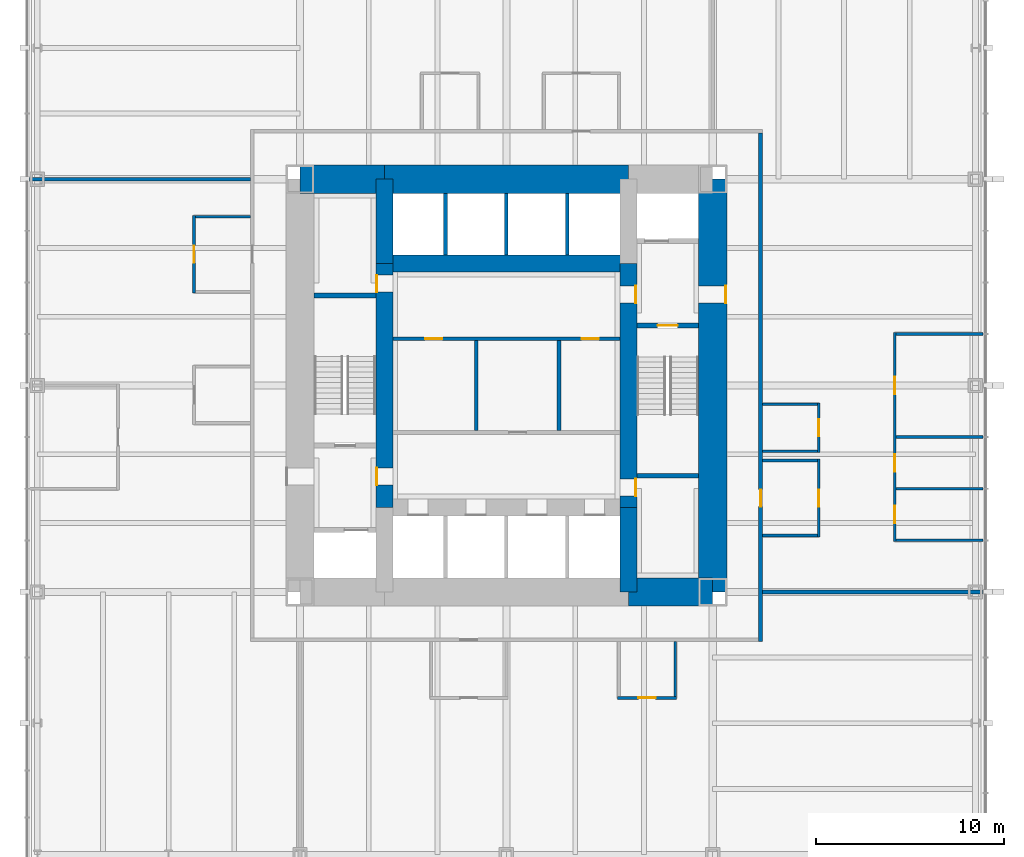
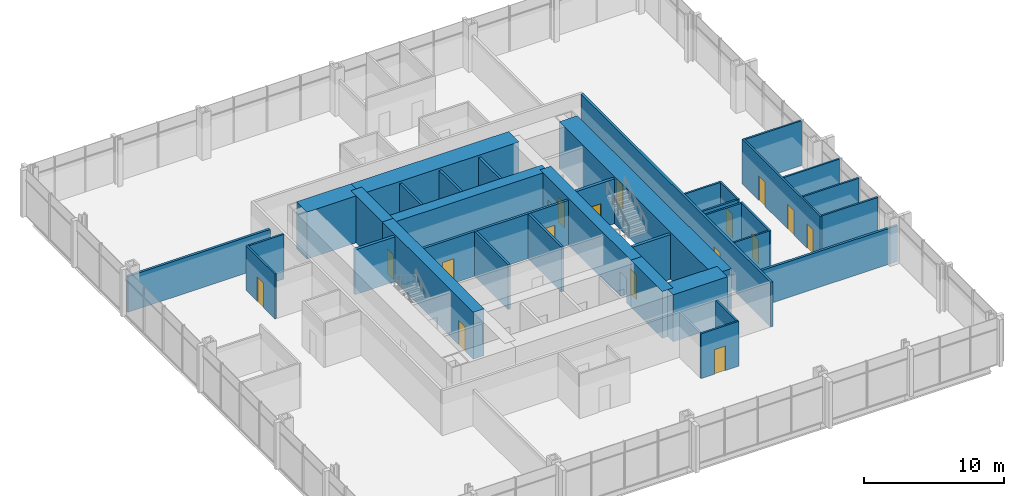
# One storey, part 10 of 12: 36 walls, 16 doors, 16 openings.
"""IFC4 building model written with IfcOpenShell, lengths in metres."""

from ifc_helpers import new_model, si_unit, direction, frame, frame_2d, origin, place, context, subcontext, project, spatial, rectangle, extrude, material, layer, layer_set, type_object, element, fill, save


model = new_model("IFC4")

# Units and contexts
model_context = context("Model", 3, precision=1e-05, world=origin(), true_north=direction((0.0, 1.0)))
body_context = subcontext(model_context, "Body", "Model", "MODEL_VIEW")
ifc_project = project(units=[si_unit("LENGTHUNIT", "METRE"), si_unit("AREAUNIT", "SQUARE_METRE"), si_unit("VOLUMEUNIT", "CUBIC_METRE"), si_unit("PLANEANGLEUNIT", "RADIAN"), si_unit("MASSUNIT", "GRAM", prefix="KILO")], contexts=[model_context])

# Site, building, storey
site_placement = place(None, origin())
site = spatial("IfcSite", under=ifc_project, at=site_placement, CompositionType="ELEMENT")
building_placement = place(site_placement, origin())
building = spatial("IfcBuilding", under=site, at=building_placement, Name="Trevanion Tower", CompositionType="ELEMENT")
storey_placement = place(building_placement, frame((0.0, 0.0, 24.199951171875)))
storey = spatial("IfcBuildingStorey", under=building, at=storey_placement, Name="L05", CompositionType="ELEMENT", Elevation=24.199951171875)

# Wall, opening, door
ifc_material_1 = material(Name="Concrete 10,000 psi", Category="concrete")
ifc_layer_1 = layer(ifc_material_1, 1.5)
ifc_layer_set_1 = layer_set([ifc_layer_1], Name="CW1 core wall 1500")
wall_type_1 = type_object("IfcWallType", Name="CW1 core wall 1500", PredefinedType="SHEAR", material=ifc_layer_set_1)
wall_1_placement = place(storey_placement, frame((11.0, -11.0, 0.0), z_axis=(0.0, 0.0, 1.0), x_axis=(0.0, 1.0, 0.0)))
wall_1 = element("IfcWall", 1, at=wall_1_placement, inside=storey, type_object=wall_type_1, Name="CW1 CE L05", PredefinedType="SHEAR", context=body_context, shape_type="SweptSolid", body=[
    extrude(rectangle(XDim=22.0, YDim=1.5, at=frame_2d((11.0, 0.0))), origin(), (0.0, 0.0, 1.0), 4.10009765625),
])
opening_1_placement = place(wall_1_placement, frame((15.392578125, 0.0, 0.0)))
opening_1 = element("IfcOpeningElement", 2, at=opening_1_placement, cuts=wall_1, Name="Opening 05-001", PredefinedType="OPENING", context=body_context, shape_type="SweptSolid", body=[
    extrude(rectangle(XDim=0.9150390625, YDim=2.134033203125, at=frame_2d((0.45751953125, 1.06689453125))), frame((0.0, 0.760009765625, 0.0), z_axis=(0.0, -1.0, 0.0), x_axis=(1.0, 0.0, 0.0)), (0.0, 0.0, 1.0), 1.52001953125),
])
ifc_material_2 = material(Name="Hollow metal, fire rated", Category="steel")
door_type_1 = type_object("IfcDoorType", Name="D3 fire lift lobby door", OperationType="SINGLE_SWING_RIGHT", PredefinedType="DOOR", material=ifc_material_2)
door_1_placement = place(opening_1_placement, origin())
door_1 = element("IfcDoor", 3, at=door_1_placement, inside=storey, type_object=door_type_1, Name="Door 05-001", OperationType="SINGLE_SWING_RIGHT", OverallHeight=2.134033203125, OverallWidth=0.9150390625, PredefinedType="DOOR", context=body_context, shape_type="SweptSolid", body=[
    extrude(rectangle(XDim=0.9150390625, YDim=2.134033203125, at=frame_2d((0.45751953125, 1.06689453125))), frame((0.0, -0.6748046875, 0.0), z_axis=(0.0, -1.0, 0.0), x_axis=(1.0, 0.0, 0.0)), (0.0, 0.0, 1.0), 0.050048828125),
])
fill(opening_1, door_1)

# Walls
wall_2_placement = place(storey_placement, frame((6.5, 11.0, 0.0), z_axis=(0.0, 0.0, 1.0), x_axis=(-1.0, 0.0, 0.0)))
element("IfcWall", 4, at=wall_2_placement, inside=storey, type_object=wall_type_1, Name="CW1 CN2 L05", PredefinedType="SHEAR", context=body_context, shape_type="SweptSolid", body=[
    extrude(rectangle(XDim=13.0, YDim=1.5, at=frame_2d((6.5, 0.0))), origin(), (0.0, 0.0, 1.0), 4.10009765625),
])
for number, where, z_axis, x_axis, name in (
    (5, (-6.5, 11.0, 0.0), (0.0, 0.0, 1.0), (-1.0, 0.0, 0.0), "CW1 CN3 L05"),
    (6, (6.5, -11.0, 0.0), (0.0, 0.0, 1.0), (1.0, 0.0, 0.0), "CW1 CS3 L05"),
):
    element("IfcWall", number, at=place(storey_placement, frame(where, z_axis=z_axis, x_axis=x_axis)), inside=storey, type_object=wall_type_1, Name=name, PredefinedType="SHEAR", context=body_context, shape_type="SweptSolid", body=[
        extrude(rectangle(XDim=4.5, YDim=1.5, at=frame_2d((2.25, 0.0))), origin(), (0.0, 0.0, 1.0), 4.10009765625),
    ])
ifc_material_3 = material(Name="Concrete 10,000 psi", Category="concrete")
ifc_layer_2 = layer(ifc_material_3, 0.89990234375)
ifc_layer_set_2 = layer_set([ifc_layer_2], Name="CW2 core wall 900")
wall_type_2 = type_object("IfcWallType", Name="CW2 core wall 900", PredefinedType="SHEAR", material=ifc_layer_set_2)
wall_3_placement = place(storey_placement, frame((6.5, -11.0, 0.0), z_axis=(0.0, 0.0, 1.0), x_axis=(0.0, 1.0, 0.0)))
element("IfcWall", 7, at=wall_3_placement, inside=storey, type_object=wall_type_2, Name="CW2 RE1 L05", PredefinedType="SHEAR", context=body_context, shape_type="SweptSolid", body=[
    extrude(rectangle(XDim=4.5, YDim=0.89990234375, at=frame_2d((2.25, 0.0))), origin(), (0.0, 0.0, 1.0), 4.10009765625),
])

# Wall, openings, doors
wall_4_placement = place(storey_placement, frame((6.5, -6.5, 0.0), z_axis=(0.0, 0.0, 1.0), x_axis=(0.0, 1.0, 0.0)))
wall_4 = element("IfcWall", 8, at=wall_4_placement, inside=storey, type_object=wall_type_2, Name="CW2 RE2 L05", PredefinedType="SHEAR", context=body_context, shape_type="SweptSolid", body=[
    extrude(rectangle(XDim=13.0, YDim=0.89990234375, at=frame_2d((6.5, 0.0))), origin(), (0.0, 0.0, 1.0), 4.10009765625),
])
opening_2_placement = place(wall_4_placement, frame((10.892578125, 0.0, 0.0)))
opening_2 = element("IfcOpeningElement", 9, at=opening_2_placement, cuts=wall_4, Name="Opening 05-003", PredefinedType="OPENING", context=body_context, shape_type="SweptSolid", body=[
    extrude(rectangle(XDim=0.9150390625, YDim=2.134033203125, at=frame_2d((0.45751953125, 1.06689453125))), frame((0.0, 0.4599609375, 0.0), z_axis=(0.0, -1.0, 0.0), x_axis=(1.0, 0.0, 0.0)), (0.0, 0.0, 1.0), 0.919921875),
])
opening_3_placement = place(wall_4_placement, frame((0.610107421875, 0.0, 0.0)))
opening_3 = element("IfcOpeningElement", 10, at=opening_3_placement, cuts=wall_4, Name="Opening 05-009", PredefinedType="OPENING", context=body_context, shape_type="SweptSolid", body=[
    extrude(rectangle(XDim=0.9150390625, YDim=2.134033203125, at=frame_2d((0.45751953125, 1.06689453125))), frame((0.0, 0.4599609375, 0.0), z_axis=(0.0, -1.0, 0.0), x_axis=(1.0, 0.0, 0.0)), (0.0, 0.0, 1.0), 0.919921875),
])
door_2_placement = place(opening_2_placement, origin())
door_2 = element("IfcDoor", 11, at=door_2_placement, inside=storey, type_object=door_type_1, Name="Door 05-003", OperationType="SINGLE_SWING_RIGHT", OverallHeight=2.134033203125, OverallWidth=0.9150390625, PredefinedType="DOOR", context=body_context, shape_type="SweptSolid", body=[
    extrude(rectangle(XDim=0.9150390625, YDim=2.134033203125, at=frame_2d((0.45751953125, 1.06689453125))), frame((0.0, -0.375, 0.0), z_axis=(0.0, -1.0, 0.0), x_axis=(1.0, 0.0, 0.0)), (0.0, 0.0, 1.0), 0.050048828125),
])
fill(opening_2, door_2)
ifc_material_4 = material(Name="Hollow metal, fire rated", Category="steel")
door_type_2 = type_object("IfcDoorType", Name="D5 service room door", OperationType="SINGLE_SWING_RIGHT", PredefinedType="DOOR", material=ifc_material_4)
door_3_placement = place(opening_3_placement, origin())
door_3 = element("IfcDoor", 12, at=door_3_placement, inside=storey, type_object=door_type_2, Name="Door 05-009", OperationType="SINGLE_SWING_RIGHT", OverallHeight=2.134033203125, OverallWidth=0.9150390625, PredefinedType="DOOR", context=body_context, shape_type="SweptSolid", body=[
    extrude(rectangle(XDim=0.9150390625, YDim=2.134033203125, at=frame_2d((0.45751953125, 1.06689453125))), frame((0.0, -0.375, 0.0), z_axis=(0.0, -1.0, 0.0), x_axis=(1.0, 0.0, 0.0)), (0.0, 0.0, 1.0), 0.050048828125),
])
fill(opening_3, door_3)

# Wall
wall_5_placement = place(storey_placement, frame((-6.5, 11.0, 0.0), z_axis=(0.0, 0.0, 1.0), x_axis=(0.0, -1.0, 0.0)))
element("IfcWall", 13, at=wall_5_placement, inside=storey, type_object=wall_type_2, Name="CW2 RW1 L05", PredefinedType="SHEAR", context=body_context, shape_type="SweptSolid", body=[
    extrude(rectangle(XDim=4.5, YDim=0.89990234375, at=frame_2d((2.25, 0.0))), origin(), (0.0, 0.0, 1.0), 4.10009765625),
])

# Wall, openings, doors
wall_6_placement = place(storey_placement, frame((-6.5, 6.5, 0.0), z_axis=(0.0, 0.0, 1.0), x_axis=(0.0, -1.0, 0.0)))
wall_6 = element("IfcWall", 14, at=wall_6_placement, inside=storey, type_object=wall_type_2, Name="CW2 RW2 L05", PredefinedType="SHEAR", context=body_context, shape_type="SweptSolid", body=[
    extrude(rectangle(XDim=13.0, YDim=0.89990234375, at=frame_2d((6.5, 0.0))), origin(), (0.0, 0.0, 1.0), 4.10009765625),
])
opening_4_placement = place(wall_6_placement, frame((10.892578125, 0.0, 0.0)))
opening_4 = element("IfcOpeningElement", 15, at=opening_4_placement, cuts=wall_6, Name="Opening 05-004", PredefinedType="OPENING", context=body_context, shape_type="SweptSolid", body=[
    extrude(rectangle(XDim=0.9150390625, YDim=2.134033203125, at=frame_2d((0.45751953125, 1.06689453125))), frame((0.0, 0.4599609375, 0.0), z_axis=(0.0, -1.0, 0.0), x_axis=(1.0, 0.0, 0.0)), (0.0, 0.0, 1.0), 0.919921875),
])
opening_5_placement = place(wall_6_placement, frame((0.610107421875, 0.0, 0.0)))
opening_5 = element("IfcOpeningElement", 16, at=opening_5_placement, cuts=wall_6, Name="Opening 05-010", PredefinedType="OPENING", context=body_context, shape_type="SweptSolid", body=[
    extrude(rectangle(XDim=0.9150390625, YDim=2.134033203125, at=frame_2d((0.45751953125, 1.06689453125))), frame((0.0, 0.4599609375, 0.0), z_axis=(0.0, -1.0, 0.0), x_axis=(1.0, 0.0, 0.0)), (0.0, 0.0, 1.0), 0.919921875),
])
door_4_placement = place(opening_4_placement, origin())
door_4 = element("IfcDoor", 17, at=door_4_placement, inside=storey, type_object=door_type_1, Name="Door 05-004", OperationType="SINGLE_SWING_RIGHT", OverallHeight=2.134033203125, OverallWidth=0.9150390625, PredefinedType="DOOR", context=body_context, shape_type="SweptSolid", body=[
    extrude(rectangle(XDim=0.9150390625, YDim=2.134033203125, at=frame_2d((0.45751953125, 1.06689453125))), frame((0.0, -0.375, 0.0), z_axis=(0.0, -1.0, 0.0), x_axis=(1.0, 0.0, 0.0)), (0.0, 0.0, 1.0), 0.050048828125),
])
fill(opening_4, door_4)
door_5_placement = place(opening_5_placement, origin())
door_5 = element("IfcDoor", 18, at=door_5_placement, inside=storey, type_object=door_type_2, Name="Door 05-010", OperationType="SINGLE_SWING_RIGHT", OverallHeight=2.134033203125, OverallWidth=0.9150390625, PredefinedType="DOOR", context=body_context, shape_type="SweptSolid", body=[
    extrude(rectangle(XDim=0.9150390625, YDim=2.134033203125, at=frame_2d((0.45751953125, 1.06689453125))), frame((0.0, -0.375, 0.0), z_axis=(0.0, -1.0, 0.0), x_axis=(1.0, 0.0, 0.0)), (0.0, 0.0, 1.0), 0.050048828125),
])
fill(opening_5, door_5)

# Wall
wall_7_placement = place(storey_placement, frame((6.5, 6.5, 0.0), z_axis=(0.0, 0.0, 1.0), x_axis=(-1.0, 0.0, 0.0)))
element("IfcWall", 19, at=wall_7_placement, inside=storey, type_object=wall_type_2, Name="CW2 RN L05", PredefinedType="SHEAR", context=body_context, shape_type="SweptSolid", body=[
    extrude(rectangle(XDim=13.0, YDim=0.89990234375, at=frame_2d((6.5, 0.0))), origin(), (0.0, 0.0, 1.0), 4.10009765625),
])

# Wall, openings, doors
ifc_material_5 = material(Name="Gypsum board on steel studs", Category="steel")
ifc_layer_3 = layer(ifc_material_5, 0.14990234375)
ifc_layer_set_3 = layer_set([ifc_layer_3], Name="PT1 partition 150")
wall_type_3 = type_object("IfcWallType", Name="PT1 partition 150", PredefinedType="PARTITIONING", material=ifc_layer_set_3)
wall_8_placement = place(storey_placement, frame((20.699951171875, -8.324951171875, 0.0), z_axis=(0.0, 0.0, 1.0), x_axis=(0.0, 1.0, 0.0)))
wall_8 = element("IfcWall", 20, at=wall_8_placement, inside=storey, type_object=wall_type_3, Name="PT1 L05 FC0F", PredefinedType="PARTITIONING", context=body_context, shape_type="SweptSolid", body=[
    extrude(rectangle(XDim=11.14990234375, YDim=0.14990234375, at=frame_2d((5.574951171875, 0.0))), origin(), (0.0, 0.0, 1.0), 3.91015625),
])
opening_6_placement = place(wall_8_placement, frame((0.992431640625, 0.0, 0.0)))
opening_6 = element("IfcOpeningElement", 21, at=opening_6_placement, cuts=wall_8, Name="Opening 05-018", PredefinedType="OPENING", context=body_context, shape_type="SweptSolid", body=[
    extrude(rectangle(XDim=0.9150390625, YDim=2.134033203125, at=frame_2d((0.45751953125, 1.06689453125))), frame((0.0, 0.0849609375, 0.0), z_axis=(0.0, -1.0, 0.0), x_axis=(1.0, 0.0, 0.0)), (0.0, 0.0, 1.0), 0.169921875),
])
opening_7_placement = place(wall_8_placement, frame((3.742431640625, 0.0, 0.0)))
opening_7 = element("IfcOpeningElement", 22, at=opening_7_placement, cuts=wall_8, Name="Opening 05-019", PredefinedType="OPENING", context=body_context, shape_type="SweptSolid", body=[
    extrude(rectangle(XDim=0.9150390625, YDim=2.134033203125, at=frame_2d((0.45751953125, 1.06689453125))), frame((0.0, 0.0849609375, 0.0), z_axis=(0.0, -1.0, 0.0), x_axis=(1.0, 0.0, 0.0)), (0.0, 0.0, 1.0), 0.169921875),
])
opening_8_placement = place(wall_8_placement, frame((7.867431640625, 0.0, 0.0)))
opening_8 = element("IfcOpeningElement", 23, at=opening_8_placement, cuts=wall_8, Name="Opening 05-020", PredefinedType="OPENING", context=body_context, shape_type="SweptSolid", body=[
    extrude(rectangle(XDim=0.9150390625, YDim=2.134033203125, at=frame_2d((0.45751953125, 1.06689453125))), frame((0.0, 0.0849609375, 0.0), z_axis=(0.0, -1.0, 0.0), x_axis=(1.0, 0.0, 0.0)), (0.0, 0.0, 1.0), 0.169921875),
])
ifc_material_6 = material(Name="Timber veneer, solid core", Category="wood")
door_type_3 = type_object("IfcDoorType", Name="D1 office and meeting room door", OperationType="SINGLE_SWING_LEFT", PredefinedType="DOOR", material=ifc_material_6)
door_6_placement = place(opening_6_placement, origin())
door_6 = element("IfcDoor", 24, at=door_6_placement, inside=storey, type_object=door_type_3, Name="Door 05-018", OperationType="SINGLE_SWING_LEFT", OverallHeight=2.134033203125, OverallWidth=0.9150390625, PredefinedType="DOOR", context=body_context, shape_type="SweptSolid", body=[
    extrude(rectangle(XDim=0.9150390625, YDim=2.134033203125, at=frame_2d((0.45751953125, 1.06689453125))), frame((0.0, 0.02490234375, 0.0), z_axis=(0.0, -1.0, 0.0), x_axis=(1.0, 0.0, 0.0)), (0.0, 0.0, 1.0), 0.050048828125),
])
fill(opening_6, door_6)
door_7_placement = place(opening_7_placement, origin())
door_7 = element("IfcDoor", 25, at=door_7_placement, inside=storey, type_object=door_type_3, Name="Door 05-019", OperationType="SINGLE_SWING_LEFT", OverallHeight=2.134033203125, OverallWidth=0.9150390625, PredefinedType="DOOR", context=body_context, shape_type="SweptSolid", body=[
    extrude(rectangle(XDim=0.9150390625, YDim=2.134033203125, at=frame_2d((0.45751953125, 1.06689453125))), frame((0.0, 0.02490234375, 0.0), z_axis=(0.0, -1.0, 0.0), x_axis=(1.0, 0.0, 0.0)), (0.0, 0.0, 1.0), 0.050048828125),
])
fill(opening_7, door_7)
door_8_placement = place(opening_8_placement, origin())
door_8 = element("IfcDoor", 26, at=door_8_placement, inside=storey, type_object=door_type_3, Name="Door 05-020", OperationType="SINGLE_SWING_LEFT", OverallHeight=2.134033203125, OverallWidth=0.9150390625, PredefinedType="DOOR", context=body_context, shape_type="SweptSolid", body=[
    extrude(rectangle(XDim=0.9150390625, YDim=2.134033203125, at=frame_2d((0.45751953125, 1.06689453125))), frame((0.0, 0.02490234375, 0.0), z_axis=(0.0, -1.0, 0.0), x_axis=(1.0, 0.0, 0.0)), (0.0, 0.0, 1.0), 0.050048828125),
])
fill(opening_8, door_8)

# Walls
for number, where, z_axis, x_axis, name in (
    (27, (20.77490234375, -8.25, 0.0), (0.0, 0.0, 1.0), (1.0, 0.0, 0.0), "PT1 L05 FC0S0"),
    (28, (20.77490234375, -5.5, 0.0), (0.0, 0.0, 1.0), (1.0, 0.0, 0.0), "PT1 L05 FC0S1"),
    (29, (20.77490234375, -2.75, 0.0), (0.0, 0.0, 1.0), (1.0, 0.0, 0.0), "PT1 L05 FC0S2"),
    (30, (20.77490234375, 2.75, 0.0), (0.0, 0.0, 1.0), (1.0, 0.0, 0.0), "PT1 L05 FC0S4"),
):
    element("IfcWall", number, at=place(storey_placement, frame(where, z_axis=z_axis, x_axis=x_axis)), inside=storey, type_object=wall_type_3, Name=name, PredefinedType="PARTITIONING", context=body_context, shape_type="SweptSolid", body=[
        extrude(rectangle(XDim=4.64013671875, YDim=0.14990234375, at=frame_2d((2.320068359375, 0.0))), origin(), (0.0, 0.0, 1.0), 3.91015625),
    ])

# Wall, opening, door
wall_9_placement = place(storey_placement, frame((16.64990234375, -8.074951171875, 0.0), z_axis=(0.0, 0.0, 1.0), x_axis=(0.0, 1.0, 0.0)))
wall_9 = element("IfcWall", 31, at=wall_9_placement, inside=storey, type_object=wall_type_3, Name="PT1 L05 IN00F", PredefinedType="PARTITIONING", context=body_context, shape_type="SweptSolid", body=[
    extrude(rectangle(XDim=4.14990234375, YDim=0.14990234375, at=frame_2d((2.074951171875, 0.0))), origin(), (0.0, 0.0, 1.0), 3.91015625),
])
opening_9_placement = place(wall_9_placement, frame((1.617431640625, 0.0, 0.0)))
opening_9 = element("IfcOpeningElement", 32, at=opening_9_placement, cuts=wall_9, Name="Opening 05-024", PredefinedType="OPENING", context=body_context, shape_type="SweptSolid", body=[
    extrude(rectangle(XDim=0.9150390625, YDim=2.134033203125, at=frame_2d((0.45751953125, 1.06689453125))), frame((0.0, 0.0849609375, 0.0), z_axis=(0.0, -1.0, 0.0), x_axis=(1.0, 0.0, 0.0)), (0.0, 0.0, 1.0), 0.169921875),
])
door_9_placement = place(opening_9_placement, origin())
door_9 = element("IfcDoor", 33, at=door_9_placement, inside=storey, type_object=door_type_3, Name="Door 05-024", OperationType="SINGLE_SWING_LEFT", OverallHeight=2.134033203125, OverallWidth=0.9150390625, PredefinedType="DOOR", context=body_context, shape_type="SweptSolid", body=[
    extrude(rectangle(XDim=0.9150390625, YDim=2.134033203125, at=frame_2d((0.45751953125, 1.06689453125))), frame((0.0, 0.02490234375, 0.0), z_axis=(0.0, -1.0, 0.0), x_axis=(1.0, 0.0, 0.0)), (0.0, 0.0, 1.0), 0.050048828125),
])
fill(opening_9, door_9)

# Walls
for number, where, z_axis, x_axis, name in (
    (34, (16.574951171875, -8.0, 0.0), (0.0, 0.0, 1.0), (-1.0, 0.0, 0.0), "PT1 L05 IN00S0"),
    (35, (16.574951171875, -4.0, 0.0), (0.0, 0.0, 1.0), (-1.0, 0.0, 0.0), "PT1 L05 IN00S1"),
):
    element("IfcWall", number, at=place(storey_placement, frame(where, z_axis=z_axis, x_axis=x_axis)), inside=storey, type_object=wall_type_3, Name=name, PredefinedType="PARTITIONING", context=body_context, shape_type="SweptSolid", body=[
        extrude(rectangle(XDim=2.925048828125, YDim=0.14990234375, at=frame_2d((1.46240234375, 0.0))), origin(), (0.0, 0.0, 1.0), 3.91015625),
    ])

# Wall, opening, door
wall_10_placement = place(storey_placement, frame((16.64990234375, -3.574951171875, 0.0), z_axis=(0.0, 0.0, 1.0), x_axis=(0.0, 1.0, 0.0)))
wall_10 = element("IfcWall", 36, at=wall_10_placement, inside=storey, type_object=wall_type_3, Name="PT1 L05 IN01F", PredefinedType="PARTITIONING", context=body_context, shape_type="SweptSolid", body=[
    extrude(rectangle(XDim=2.64990234375, YDim=0.14990234375, at=frame_2d((1.324951171875, 0.0))), origin(), (0.0, 0.0, 1.0), 3.91015625),
])
opening_10_placement = place(wall_10_placement, frame((0.867431640625, 0.0, 0.0)))
opening_10 = element("IfcOpeningElement", 37, at=opening_10_placement, cuts=wall_10, Name="Opening 05-026", PredefinedType="OPENING", context=body_context, shape_type="SweptSolid", body=[
    extrude(rectangle(XDim=0.9150390625, YDim=2.134033203125, at=frame_2d((0.45751953125, 1.06689453125))), frame((0.0, 0.0849609375, 0.0), z_axis=(0.0, -1.0, 0.0), x_axis=(1.0, 0.0, 0.0)), (0.0, 0.0, 1.0), 0.169921875),
])
door_10_placement = place(opening_10_placement, origin())
door_10 = element("IfcDoor", 38, at=door_10_placement, inside=storey, type_object=door_type_3, Name="Door 05-026", OperationType="SINGLE_SWING_LEFT", OverallHeight=2.134033203125, OverallWidth=0.9150390625, PredefinedType="DOOR", context=body_context, shape_type="SweptSolid", body=[
    extrude(rectangle(XDim=0.9150390625, YDim=2.134033203125, at=frame_2d((0.45751953125, 1.06689453125))), frame((0.0, 0.02490234375, 0.0), z_axis=(0.0, -1.0, 0.0), x_axis=(1.0, 0.0, 0.0)), (0.0, 0.0, 1.0), 0.050048828125),
])
fill(opening_10, door_10)

# Walls
for number, where, z_axis, x_axis, name in (
    (39, (16.574951171875, -3.5, 0.0), (0.0, 0.0, 1.0), (-1.0, 0.0, 0.0), "PT1 L05 IN01S0"),
    (40, (16.574951171875, -1.0, 0.0), (0.0, 0.0, 1.0), (-1.0, 0.0, 0.0), "PT1 L05 IN01S1"),
):
    element("IfcWall", number, at=place(storey_placement, frame(where, z_axis=z_axis, x_axis=x_axis)), inside=storey, type_object=wall_type_3, Name=name, PredefinedType="PARTITIONING", context=body_context, shape_type="SweptSolid", body=[
        extrude(rectangle(XDim=2.925048828125, YDim=0.14990234375, at=frame_2d((1.46240234375, 0.0))), origin(), (0.0, 0.0, 1.0), 3.91015625),
    ])

# Wall, opening, door
wall_11_placement = place(storey_placement, frame((-16.64990234375, 9.074951171875, 0.0), z_axis=(0.0, 0.0, 1.0), x_axis=(0.0, -1.0, 0.0)))
wall_11 = element("IfcWall", 41, at=wall_11_placement, inside=storey, type_object=wall_type_3, Name="PT1 L05 IN20F", PredefinedType="PARTITIONING", context=body_context, shape_type="SweptSolid", body=[
    extrude(rectangle(XDim=4.14990234375, YDim=0.14990234375, at=frame_2d((2.074951171875, 0.0))), origin(), (0.0, 0.0, 1.0), 3.91015625),
])
opening_11_placement = place(wall_11_placement, frame((1.617431640625, 0.0, 0.0)))
opening_11 = element("IfcOpeningElement", 42, at=opening_11_placement, cuts=wall_11, Name="Opening 05-030", PredefinedType="OPENING", context=body_context, shape_type="SweptSolid", body=[
    extrude(rectangle(XDim=0.9150390625, YDim=2.134033203125, at=frame_2d((0.45751953125, 1.06689453125))), frame((0.0, 0.0849609375, 0.0), z_axis=(0.0, -1.0, 0.0), x_axis=(1.0, 0.0, 0.0)), (0.0, 0.0, 1.0), 0.169921875),
])
door_11_placement = place(opening_11_placement, origin())
door_11 = element("IfcDoor", 43, at=door_11_placement, inside=storey, type_object=door_type_3, Name="Door 05-030", OperationType="SINGLE_SWING_LEFT", OverallHeight=2.134033203125, OverallWidth=0.9150390625, PredefinedType="DOOR", context=body_context, shape_type="SweptSolid", body=[
    extrude(rectangle(XDim=0.9150390625, YDim=2.134033203125, at=frame_2d((0.45751953125, 1.06689453125))), frame((0.0, 0.02490234375, 0.0), z_axis=(0.0, -1.0, 0.0), x_axis=(1.0, 0.0, 0.0)), (0.0, 0.0, 1.0), 0.050048828125),
])
fill(opening_11, door_11)

# Wall
wall_12_placement = place(storey_placement, frame((-16.574951171875, 9.0, 0.0), z_axis=(0.0, 0.0, 1.0), x_axis=(1.0, 0.0, 0.0)))
element("IfcWall", 44, at=wall_12_placement, inside=storey, type_object=wall_type_3, Name="PT1 L05 IN20S0", PredefinedType="PARTITIONING", context=body_context, shape_type="SweptSolid", body=[
    extrude(rectangle(XDim=2.925048828125, YDim=0.14990234375, at=frame_2d((1.46240234375, 0.0))), origin(), (0.0, 0.0, 1.0), 3.91015625),
])

# Wall, opening, door
wall_13_placement = place(storey_placement, frame((5.925048828125, -16.64990234375, 0.0), z_axis=(0.0, 0.0, 1.0), x_axis=(1.0, 0.0, 0.0)))
wall_13 = element("IfcWall", 45, at=wall_13_placement, inside=storey, type_object=wall_type_3, Name="PT1 L05 IN31F", PredefinedType="PARTITIONING", context=body_context, shape_type="SweptSolid", body=[
    extrude(rectangle(XDim=3.14990234375, YDim=0.14990234375, at=frame_2d((1.574951171875, 0.0))), origin(), (0.0, 0.0, 1.0), 3.91015625),
])
opening_12_placement = place(wall_13_placement, frame((1.117431640625, 0.0, 0.0)))
opening_12 = element("IfcOpeningElement", 46, at=opening_12_placement, cuts=wall_13, Name="Opening 05-035", PredefinedType="OPENING", context=body_context, shape_type="SweptSolid", body=[
    extrude(rectangle(XDim=0.9150390625, YDim=2.134033203125, at=frame_2d((0.45751953125, 1.06689453125))), frame((0.0, 0.0849609375, 0.0), z_axis=(0.0, -1.0, 0.0), x_axis=(1.0, 0.0, 0.0)), (0.0, 0.0, 1.0), 0.169921875),
])
door_12_placement = place(opening_12_placement, origin())
door_12 = element("IfcDoor", 47, at=door_12_placement, inside=storey, type_object=door_type_3, Name="Door 05-035", OperationType="SINGLE_SWING_LEFT", OverallHeight=2.134033203125, OverallWidth=0.9150390625, PredefinedType="DOOR", context=body_context, shape_type="SweptSolid", body=[
    extrude(rectangle(XDim=0.9150390625, YDim=2.134033203125, at=frame_2d((0.45751953125, 1.06689453125))), frame((0.0, 0.02490234375, 0.0), z_axis=(0.0, -1.0, 0.0), x_axis=(1.0, 0.0, 0.0)), (0.0, 0.0, 1.0), 0.050048828125),
])
fill(opening_12, door_12)

# Walls
wall_14_placement = place(storey_placement, frame((9.0, -16.574951171875, 0.0), z_axis=(0.0, 0.0, 1.0), x_axis=(0.0, 1.0, 0.0)))
element("IfcWall", 48, at=wall_14_placement, inside=storey, type_object=wall_type_3, Name="PT1 L05 IN31S1", PredefinedType="PARTITIONING", context=body_context, shape_type="SweptSolid", body=[
    extrude(rectangle(XDim=2.925048828125, YDim=0.14990234375, at=frame_2d((1.46240234375, 0.0))), origin(), (0.0, 0.0, 1.0), 3.91015625),
])
ifc_material_7 = material(Name="Concrete masonry, grouted", Category="masonry")
ifc_layer_4 = layer(ifc_material_7, 0.199951171875)
ifc_layer_set_4 = layer_set([ifc_layer_4], Name="PT2 partition 200")
wall_type_4 = type_object("IfcWallType", Name="PT2 partition 200", PredefinedType="PARTITIONING", material=ifc_layer_set_4)
for number, where, z_axis, x_axis, name in (
    (49, (-1.60009765625, -2.39990234375, 0.0), (0.0, 0.0, 1.0), (0.0, 1.0, 0.0), "PT2 L05 TP1"),
    (50, (2.800048828125, -2.39990234375, 0.0), (0.0, 0.0, 1.0), (0.0, 1.0, 0.0), "PT2 L05 TP2"),
):
    element("IfcWall", number, at=place(storey_placement, frame(where, z_axis=z_axis, x_axis=x_axis)), inside=storey, type_object=wall_type_4, Name=name, PredefinedType="PARTITIONING", context=body_context, shape_type="SweptSolid", body=[
        extrude(rectangle(XDim=4.7998046875, YDim=0.199951171875, at=frame_2d((2.39990234375, 0.0))), origin(), (0.0, 0.0, 1.0), 3.91015625),
    ])

# Wall, openings, doors
ifc_material_8 = material(Name="Concrete masonry, grouted", Category="masonry")
ifc_layer_5 = layer(ifc_material_8, 0.199951171875)
ifc_layer_set_5 = layer_set([ifc_layer_5], Name="PT2 partition 200 1 HR")
wall_type_5 = type_object("IfcWallType", Name="PT2 partition 200 1 HR", PredefinedType="PARTITIONING", material=ifc_layer_set_5)
wall_15_placement = place(storey_placement, frame((-6.050048828125, 2.5, 0.0), z_axis=(0.0, 0.0, 1.0), x_axis=(1.0, 0.0, 0.0)))
wall_15 = element("IfcWall", 51, at=wall_15_placement, inside=storey, type_object=wall_type_5, Name="PT2 L05 CP1", PredefinedType="PARTITIONING", context=body_context, shape_type="SweptSolid", body=[
    extrude(rectangle(XDim=12.10009765625, YDim=0.199951171875, at=frame_2d((6.050048828125, 0.0))), origin(), (0.0, 0.0, 1.0), 3.91015625),
])
opening_13_placement = place(wall_15_placement, frame((1.717529296875, 0.0, 0.0)))
opening_13 = element("IfcOpeningElement", 52, at=opening_13_placement, cuts=wall_15, Name="Opening 05-015", PredefinedType="OPENING", context=body_context, shape_type="SweptSolid", body=[
    extrude(rectangle(XDim=0.9150390625, YDim=2.134033203125, at=frame_2d((0.45751953125, 1.06689453125))), frame((0.0, 0.10986328125, 0.0), z_axis=(0.0, -1.0, 0.0), x_axis=(1.0, 0.0, 0.0)), (0.0, 0.0, 1.0), 0.219970703125),
])
opening_14_placement = place(wall_15_placement, frame((10.0673828125, 0.0, 0.0)))
opening_14 = element("IfcOpeningElement", 53, at=opening_14_placement, cuts=wall_15, Name="Opening 05-017", PredefinedType="OPENING", context=body_context, shape_type="SweptSolid", body=[
    extrude(rectangle(XDim=0.9150390625, YDim=2.134033203125, at=frame_2d((0.45751953125, 1.06689453125))), frame((0.0, 0.10986328125, 0.0), z_axis=(0.0, -1.0, 0.0), x_axis=(1.0, 0.0, 0.0)), (0.0, 0.0, 1.0), 0.219970703125),
])
ifc_material_9 = material(Name="Plastic laminate on fire-rated core", Category="wood")
door_type_4 = type_object("IfcDoorType", Name="D12 toilet door in a one hour wall", OperationType="SINGLE_SWING_LEFT", PredefinedType="DOOR", material=ifc_material_9)
door_13_placement = place(opening_13_placement, origin())
door_13 = element("IfcDoor", 54, at=door_13_placement, inside=storey, type_object=door_type_4, Name="Door 05-015", OperationType="SINGLE_SWING_LEFT", OverallHeight=2.134033203125, OverallWidth=0.9150390625, PredefinedType="DOOR", context=body_context, shape_type="SweptSolid", body=[
    extrude(rectangle(XDim=0.9150390625, YDim=2.134033203125, at=frame_2d((0.45751953125, 1.06689453125))), frame((0.0, 0.02490234375, 0.0), z_axis=(0.0, -1.0, 0.0), x_axis=(1.0, 0.0, 0.0)), (0.0, 0.0, 1.0), 0.050048828125),
])
fill(opening_13, door_13)
door_14_placement = place(opening_14_placement, origin())
door_14 = element("IfcDoor", 55, at=door_14_placement, inside=storey, type_object=door_type_4, Name="Door 05-017", OperationType="SINGLE_SWING_LEFT", OverallHeight=2.134033203125, OverallWidth=0.9150390625, PredefinedType="DOOR", context=body_context, shape_type="SweptSolid", body=[
    extrude(rectangle(XDim=0.9150390625, YDim=2.134033203125, at=frame_2d((0.45751953125, 1.06689453125))), frame((0.0, 0.02490234375, 0.0), z_axis=(0.0, -1.0, 0.0), x_axis=(1.0, 0.0, 0.0)), (0.0, 0.0, 1.0), 0.050048828125),
])
fill(opening_14, door_14)

# Wall, opening, door
wall_16_placement = place(storey_placement, frame((13.550048828125, -13.64990234375, 0.0), z_axis=(0.0, 0.0, 1.0), x_axis=(0.0, 1.0, 0.0)))
wall_16 = element("IfcWall", 56, at=wall_16_placement, inside=storey, type_object=wall_type_5, Name="PT2 L05 OC0", PredefinedType="PARTITIONING", context=body_context, shape_type="SweptSolid", body=[
    extrude(rectangle(XDim=27.099853515625, YDim=0.199951171875, at=frame_2d((13.5498046875, 0.0))), origin(), (0.0, 0.0, 1.0), 3.91015625),
])
opening_15_placement = place(wall_16_placement, frame((7.1923828125, 0.0, 0.0)))
opening_15 = element("IfcOpeningElement", 57, at=opening_15_placement, cuts=wall_16, Name="Opening 05-025", PredefinedType="OPENING", context=body_context, shape_type="SweptSolid", body=[
    extrude(rectangle(XDim=0.9150390625, YDim=2.134033203125, at=frame_2d((0.45751953125, 1.06689453125))), frame((0.0, 0.10986328125, 0.0), z_axis=(0.0, -1.0, 0.0), x_axis=(1.0, 0.0, 0.0)), (0.0, 0.0, 1.0), 0.219970703125),
])
ifc_material_10 = material(Name="Timber veneer, fire rated", Category="wood")
door_type_5 = type_object("IfcDoorType", Name="D10 office door in a one hour wall", OperationType="SINGLE_SWING_LEFT", PredefinedType="DOOR", material=ifc_material_10)
door_15_placement = place(opening_15_placement, origin())
door_15 = element("IfcDoor", 58, at=door_15_placement, inside=storey, type_object=door_type_5, Name="Door 05-025", OperationType="SINGLE_SWING_LEFT", OverallHeight=2.134033203125, OverallWidth=0.9150390625, PredefinedType="DOOR", context=body_context, shape_type="SweptSolid", body=[
    extrude(rectangle(XDim=0.9150390625, YDim=2.134033203125, at=frame_2d((0.45751953125, 1.06689453125))), frame((0.0, 0.02490234375, 0.0), z_axis=(0.0, -1.0, 0.0), x_axis=(1.0, 0.0, 0.0)), (0.0, 0.0, 1.0), 0.050048828125),
])
fill(opening_15, door_15)

# Walls
for number, where, z_axis, x_axis, name in (
    (59, (-13.64990234375, 11.0, 0.0), (0.0, 0.0, 1.0), (-1.0, 0.0, 0.0), "PT2 L05 DM1"),
    (60, (13.64990234375, -11.0, 0.0), (0.0, 0.0, 1.0), (1.0, 0.0, 0.0), "PT2 L05 DM3"),
):
    element("IfcWall", number, at=place(storey_placement, frame(where, z_axis=z_axis, x_axis=x_axis)), inside=storey, type_object=wall_type_5, Name=name, PredefinedType="PARTITIONING", context=body_context, shape_type="SweptSolid", body=[
        extrude(rectangle(XDim=11.76513671875, YDim=0.199951171875, at=frame_2d((5.882568359375, 0.0))), origin(), (0.0, 0.0, 1.0), 3.130126953125),
    ])
ifc_material_11 = material(Name="Concrete masonry, grouted", Category="masonry")
ifc_layer_6 = layer(ifc_material_11, 0.199951171875)
ifc_layer_set_6 = layer_set([ifc_layer_6], Name="PT2 partition 200 2 HR")
wall_type_6 = type_object("IfcWallType", Name="PT2 partition 200 2 HR", PredefinedType="PARTITIONING", material=ifc_layer_set_6)
for number, where, z_axis, x_axis, name in (
    (61, (-3.25, 6.949951171875, 0.0), (0.0, 0.0, 1.0), (0.0, 1.0, 0.0), "PT2 L05 NS0"),
    (62, (0.0, 6.949951171875, 0.0), (0.0, 0.0, 1.0), (0.0, 1.0, 0.0), "PT2 L05 NS1"),
    (63, (3.25, 6.949951171875, 0.0), (0.0, 0.0, 1.0), (0.0, 1.0, 0.0), "PT2 L05 NS2"),
):
    element("IfcWall", number, at=place(storey_placement, frame(where, z_axis=z_axis, x_axis=x_axis)), inside=storey, type_object=wall_type_6, Name=name, PredefinedType="PARTITIONING", context=body_context, shape_type="SweptSolid", body=[
        extrude(rectangle(XDim=3.300048828125, YDim=0.199951171875, at=frame_2d((1.64990234375, 0.0))), origin(), (0.0, 0.0, 1.0), 3.91015625),
    ])
ifc_material_12 = material(Name="Reinforced masonry, fully grouted", Category="masonry")
ifc_layer_7 = layer(ifc_material_12, 0.25)
ifc_layer_set_7 = layer_set([ifc_layer_7], Name="SW1 stair shaft wall 250")
wall_type_7 = type_object("IfcWallType", Name="SW1 stair shaft wall 250", PredefinedType="SOLIDWALL", material=ifc_layer_set_7)
for number, where, z_axis, x_axis, name in (
    (64, (6.949951171875, -4.800048828125, 0.0), (0.0, 0.0, 1.0), (1.0, 0.0, 0.0), "SW1 L05 EP1"),
    (65, (-6.949951171875, 4.800048828125, 0.0), (0.0, 0.0, 1.0), (-1.0, 0.0, 0.0), "SW1 L05 WP1"),
):
    element("IfcWall", number, at=place(storey_placement, frame(where, z_axis=z_axis, x_axis=x_axis)), inside=storey, type_object=wall_type_7, Name=name, PredefinedType="SOLIDWALL", context=body_context, shape_type="SweptSolid", body=[
        extrude(rectangle(XDim=3.300048828125, YDim=0.25, at=frame_2d((1.64990234375, 0.0))), origin(), (0.0, 0.0, 1.0), 3.91015625),
    ])

# Wall, opening, door
wall_17_placement = place(storey_placement, frame((6.949951171875, 3.199951171875, 0.0), z_axis=(0.0, 0.0, 1.0), x_axis=(1.0, 0.0, 0.0)))
wall_17 = element("IfcWall", 66, at=wall_17_placement, inside=storey, type_object=wall_type_7, Name="SW1 L05 EP2", PredefinedType="SOLIDWALL", context=body_context, shape_type="SweptSolid", body=[
    extrude(rectangle(XDim=3.300048828125, YDim=0.25, at=frame_2d((1.64990234375, 0.0))), origin(), (0.0, 0.0, 1.0), 3.91015625),
])
opening_16_placement = place(wall_17_placement, frame((1.116455078125, 0.0, 0.0)))
opening_16 = element("IfcOpeningElement", 67, at=opening_16_placement, cuts=wall_17, Name="Opening 05-005", PredefinedType="OPENING", context=body_context, shape_type="SweptSolid", body=[
    extrude(rectangle(XDim=1.06689453125, YDim=2.134033203125, at=frame_2d((0.533447265625, 1.06689453125))), frame((0.0, 0.135009765625, 0.0), z_axis=(0.0, -1.0, 0.0), x_axis=(1.0, 0.0, 0.0)), (0.0, 0.0, 1.0), 0.27001953125),
])
ifc_material_13 = material(Name="Hollow metal, fire rated", Category="steel")
door_type_6 = type_object("IfcDoorType", Name="D2 exit stair door", OperationType="SINGLE_SWING_LEFT", PredefinedType="DOOR", material=ifc_material_13)
door_16_placement = place(opening_16_placement, origin())
door_16 = element("IfcDoor", 68, at=door_16_placement, inside=storey, type_object=door_type_6, Name="Door 05-005", OperationType="SINGLE_SWING_LEFT", OverallHeight=2.134033203125, OverallWidth=1.06689453125, PredefinedType="DOOR", context=body_context, shape_type="SweptSolid", body=[
    extrude(rectangle(XDim=1.06689453125, YDim=2.134033203125, at=frame_2d((0.533447265625, 1.06689453125))), frame((0.0, 0.02490234375, 0.0), z_axis=(0.0, -1.0, 0.0), x_axis=(1.0, 0.0, 0.0)), (0.0, 0.0, 1.0), 0.050048828125),
])
fill(opening_16, door_16)

save(model, "model.ifc")
